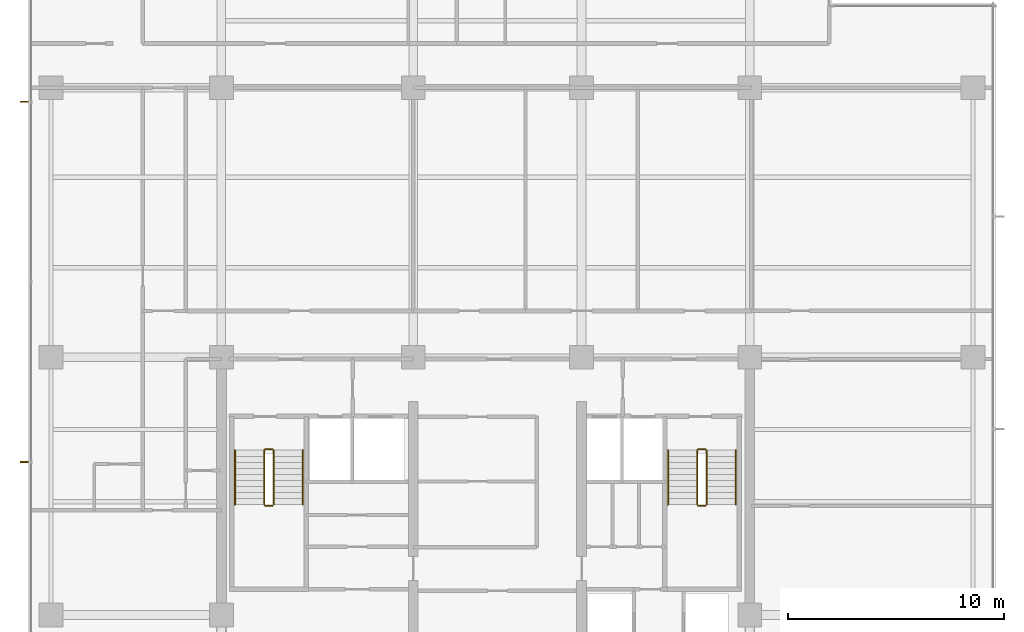
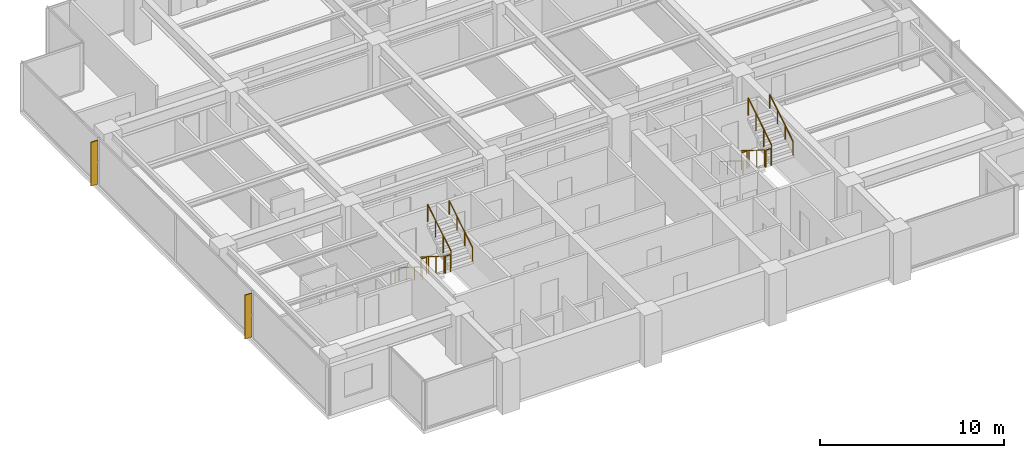
# One storey, part 13 of 14: 12 railings, 2 shading devices.
"""IFC4 building model written with IfcOpenShell, lengths in metres."""

from ifc_helpers import new_model, si_unit, direction, frame, origin, origin_2d, place, context, subcontext, project, spatial, polyline, circle, outline, extrude, material, layer, layer_set, type_object, element, save


model = new_model("IFC4")

# Units and contexts
model_context = context("Model", 3, precision=1e-05, world=origin(), true_north=direction((0.0, 1.0)))
body_context = subcontext(model_context, "Body", "Model", "MODEL_VIEW")
ifc_project = project(units=[si_unit("LENGTHUNIT", "METRE"), si_unit("AREAUNIT", "SQUARE_METRE"), si_unit("VOLUMEUNIT", "CUBIC_METRE"), si_unit("PLANEANGLEUNIT", "RADIAN"), si_unit("MASSUNIT", "GRAM", prefix="KILO")], contexts=[model_context])

# Site, building, storey
site_placement = place(None, origin())
site = spatial("IfcSite", under=ifc_project, at=site_placement, CompositionType="ELEMENT")
building_placement = place(site_placement, origin())
building = spatial("IfcBuilding", under=site, at=building_placement, Name="Qalmaran Belvedere Hotel", CompositionType="ELEMENT")
storey_placement = place(building_placement, frame((0.0, 0.0, 180.60009765625)))
storey = spatial("IfcBuildingStorey", under=building, at=storey_placement, Name="L46", CompositionType="ELEMENT", Elevation=180.60009765625)

# Shading devices
ifc_material_1 = material(Name="Anodised Bronze Aluminium", Category="aluminium")
ifc_layer = layer(ifc_material_1, 0.06494140625, Name="Anodised Bronze Aluminium")
ifc_layer_set = layer_set([ifc_layer], Name="Anodised Bronze Aluminium")
shading_device_type = type_object("IfcShadingDeviceType", Name="FIN-BRNZ-420", PredefinedType="USERDEFINED", material=ifc_layer_set)
shading_device_1_placement = place(storey_placement, frame((0.0, 0.0, 0.159912109375)))
element("IfcShadingDevice", 1, at=shading_device_1_placement, inside=storey, type_object=shading_device_type, Name="L46 Bronze Fin 1", ObjectType="FIN", PredefinedType="USERDEFINED", context=body_context, shape_type="SweptSolid", body=[
    extrude(outline(polyline([(11.3798828125, 32.382568359375), (10.9599609375, 32.382568359375), (10.9599609375, 32.3173828125), (11.3798828125, 32.3173828125), (11.3798828125, 32.382568359375)])), origin(), (0.0, 0.0, 1.0), 2.89990234375),
])
shading_device_2_placement = place(storey_placement, frame((0.0, 0.0, 0.159912109375)))
element("IfcShadingDevice", 2, at=shading_device_2_placement, inside=storey, type_object=shading_device_type, Name="L46 Bronze Fin 3", ObjectType="FIN", PredefinedType="USERDEFINED", context=body_context, shape_type="SweptSolid", body=[
    extrude(outline(polyline([(11.3798828125, 15.6826171875), (10.9599609375, 15.6826171875), (10.9599609375, 15.617431640625), (11.3798828125, 15.617431640625), (11.3798828125, 15.6826171875)])), origin(), (0.0, 0.0, 1.0), 2.89990234375),
])

# Railings
ifc_material_2 = material(Name="Stainless Steel 1.4401", Category="steel")
railing_type_1 = type_object("IfcRailingType", Name="RLG-STAIR-GUARD-1150", PredefinedType="GUARDRAIL", material=ifc_material_2)
railing_1_placement = place(storey_placement, frame((22.280029296875, 16.18994140625, 0.1748046875)))
element("IfcRailing", 3, at=railing_1_placement, inside=storey, type_object=railing_type_1, Name="L46 ST-1 stair guard 1", PredefinedType="GUARDRAIL", context=body_context, shape_type="SweptSolid", body=[
    extrude(circle(Radius=0.02392578125, at=origin_2d()), frame((0.0, 0.0, 1.1259765625), z_axis=(0.0, -0.847970611238, 0.530043245855), x_axis=(1.0, 0.0, 0.0)), (0.0, 0.0, 1.0), 2.971923828125),
    extrude(circle(Radius=0.02099609375, at=origin_2d()), origin(), (0.0, 0.0, 1.0), 1.101806640625),
    extrude(circle(Radius=0.02099609375, at=origin_2d()), frame((0.0, -0.840087890625, 0.525146484375)), (0.0, 0.0, 1.0), 1.101806640625),
    extrude(circle(Radius=0.02099609375, at=origin_2d()), frame((0.0, -1.679931640625, 1.050048828125)), (0.0, 0.0, 1.0), 1.101806640625),
    extrude(circle(Radius=0.02099609375, at=origin_2d()), frame((0.0, -2.52001953125, 1.5751953125)), (0.0, 0.0, 1.0), 1.101806640625),
])
railing_2_placement = place(storey_placement, frame((22.330078125, 13.6201171875, 1.75)))
element("IfcRailing", 4, at=railing_2_placement, inside=storey, type_object=railing_type_1, Name="L46 ST-1 stair guard 2", PredefinedType="GUARDRAIL", context=body_context, shape_type="SweptSolid", body=[
    extrude(circle(Radius=0.02392578125, at=origin_2d()), frame((0.0, 0.0, 1.1259765625), z_axis=(1.0, 0.0, 0.0), x_axis=(0.0, 1.0, 0.0)), (0.0, 0.0, 1.0), 0.33984375),
    extrude(circle(Radius=0.02099609375, at=origin_2d()), origin(), (0.0, 0.0, 1.0), 1.101806640625),
    extrude(circle(Radius=0.02099609375, at=origin_2d()), frame((0.33984375, 0.0, 0.0)), (0.0, 0.0, 1.0), 1.101806640625),
])
railing_3_placement = place(storey_placement, frame((22.719970703125, 13.669921875, 1.9248046875)))
element("IfcRailing", 5, at=railing_3_placement, inside=storey, type_object=railing_type_1, Name="L46 ST-1 stair guard 3", PredefinedType="GUARDRAIL", context=body_context, shape_type="SweptSolid", body=[
    extrude(circle(Radius=0.02392578125, at=origin_2d()), frame((0.0, 0.0, 1.1259765625), z_axis=(0.0, 0.847970611238, 0.530043245855), x_axis=(-1.0, 0.0, 0.0)), (0.0, 0.0, 1.0), 2.971923828125),
    extrude(circle(Radius=0.02099609375, at=origin_2d()), origin(), (0.0, 0.0, 1.0), 1.101806640625),
    extrude(circle(Radius=0.02099609375, at=origin_2d()), frame((0.0, 0.840087890625, 0.525146484375)), (0.0, 0.0, 1.0), 1.101806640625),
    extrude(circle(Radius=0.02099609375, at=origin_2d()), frame((0.0, 1.679931640625, 1.050048828125)), (0.0, 0.0, 1.0), 1.101806640625),
    extrude(circle(Radius=0.02099609375, at=origin_2d()), frame((0.0, 2.52001953125, 1.5751953125)), (0.0, 0.0, 1.0), 1.101806640625),
])
railing_4_placement = place(storey_placement, frame((22.330078125, 16.239990234375, 0.0)))
element("IfcRailing", 6, at=railing_4_placement, inside=storey, type_object=railing_type_1, Name="L46 ST-1 stair guard 4", PredefinedType="GUARDRAIL", context=body_context, shape_type="SweptSolid", body=[
    extrude(circle(Radius=0.02392578125, at=origin_2d()), frame((0.0, 0.0, 1.1259765625), z_axis=(1.0, 0.0, 0.0), x_axis=(0.0, 1.0, 0.0)), (0.0, 0.0, 1.0), 0.33984375),
    extrude(circle(Radius=0.02099609375, at=origin_2d()), origin(), (0.0, 0.0, 1.0), 1.101806640625),
    extrude(circle(Radius=0.02099609375, at=origin_2d()), frame((0.33984375, 0.0, 0.0)), (0.0, 0.0, 1.0), 1.101806640625),
])
railing_5_placement = place(storey_placement, frame((42.360107421875, 16.18994140625, 0.1748046875)))
element("IfcRailing", 7, at=railing_5_placement, inside=storey, type_object=railing_type_1, Name="L46 ST-2 stair guard 1", PredefinedType="GUARDRAIL", context=body_context, shape_type="SweptSolid", body=[
    extrude(circle(Radius=0.02392578125, at=origin_2d()), frame((0.0, 0.0, 1.1259765625), z_axis=(0.0, -0.847970611238, 0.530043245855), x_axis=(1.0, 0.0, 0.0)), (0.0, 0.0, 1.0), 2.971923828125),
    extrude(circle(Radius=0.02099609375, at=origin_2d()), origin(), (0.0, 0.0, 1.0), 1.101806640625),
    extrude(circle(Radius=0.02099609375, at=origin_2d()), frame((0.0, -0.840087890625, 0.525146484375)), (0.0, 0.0, 1.0), 1.101806640625),
    extrude(circle(Radius=0.02099609375, at=origin_2d()), frame((0.0, -1.679931640625, 1.050048828125)), (0.0, 0.0, 1.0), 1.101806640625),
    extrude(circle(Radius=0.02099609375, at=origin_2d()), frame((0.0, -2.52001953125, 1.5751953125)), (0.0, 0.0, 1.0), 1.101806640625),
])
railing_6_placement = place(storey_placement, frame((42.409912109375, 13.6201171875, 1.75)))
element("IfcRailing", 8, at=railing_6_placement, inside=storey, type_object=railing_type_1, Name="L46 ST-2 stair guard 2", PredefinedType="GUARDRAIL", context=body_context, shape_type="SweptSolid", body=[
    extrude(circle(Radius=0.02392578125, at=origin_2d()), frame((0.0, 0.0, 1.1259765625), z_axis=(1.0, 0.0, 0.0), x_axis=(0.0, 1.0, 0.0)), (0.0, 0.0, 1.0), 0.340087890625),
    extrude(circle(Radius=0.02099609375, at=origin_2d()), origin(), (0.0, 0.0, 1.0), 1.101806640625),
    extrude(circle(Radius=0.02099609375, at=origin_2d()), frame((0.340087890625, 0.0, 0.0)), (0.0, 0.0, 1.0), 1.101806640625),
])
railing_7_placement = place(storey_placement, frame((42.800048828125, 13.669921875, 1.9248046875)))
element("IfcRailing", 9, at=railing_7_placement, inside=storey, type_object=railing_type_1, Name="L46 ST-2 stair guard 3", PredefinedType="GUARDRAIL", context=body_context, shape_type="SweptSolid", body=[
    extrude(circle(Radius=0.02392578125, at=origin_2d()), frame((0.0, 0.0, 1.1259765625), z_axis=(0.0, 0.847970611238, 0.530043245855), x_axis=(-1.0, 0.0, 0.0)), (0.0, 0.0, 1.0), 2.971923828125),
    extrude(circle(Radius=0.02099609375, at=origin_2d()), origin(), (0.0, 0.0, 1.0), 1.101806640625),
    extrude(circle(Radius=0.02099609375, at=origin_2d()), frame((0.0, 0.840087890625, 0.525146484375)), (0.0, 0.0, 1.0), 1.101806640625),
    extrude(circle(Radius=0.02099609375, at=origin_2d()), frame((0.0, 1.679931640625, 1.050048828125)), (0.0, 0.0, 1.0), 1.101806640625),
    extrude(circle(Radius=0.02099609375, at=origin_2d()), frame((0.0, 2.52001953125, 1.5751953125)), (0.0, 0.0, 1.0), 1.101806640625),
])
railing_8_placement = place(storey_placement, frame((42.409912109375, 16.239990234375, 0.0)))
element("IfcRailing", 10, at=railing_8_placement, inside=storey, type_object=railing_type_1, Name="L46 ST-2 stair guard 4", PredefinedType="GUARDRAIL", context=body_context, shape_type="SweptSolid", body=[
    extrude(circle(Radius=0.02392578125, at=origin_2d()), frame((0.0, 0.0, 1.1259765625), z_axis=(1.0, 0.0, 0.0), x_axis=(0.0, 1.0, 0.0)), (0.0, 0.0, 1.0), 0.340087890625),
    extrude(circle(Radius=0.02099609375, at=origin_2d()), origin(), (0.0, 0.0, 1.0), 1.101806640625),
    extrude(circle(Radius=0.02099609375, at=origin_2d()), frame((0.340087890625, 0.0, 0.0)), (0.0, 0.0, 1.0), 1.101806640625),
])
railing_type_2 = type_object("IfcRailingType", Name="RLG-STAIR-HAND-910", PredefinedType="HANDRAIL", material=ifc_material_2)
railing_9_placement = place(storey_placement, frame((20.929931640625, 16.18994140625, 0.1748046875)))
element("IfcRailing", 11, at=railing_9_placement, inside=storey, type_object=railing_type_2, Name="L46 ST-1 stair handrail 1", PredefinedType="HANDRAIL", context=body_context, shape_type="SweptSolid", body=[
    extrude(circle(Radius=0.02392578125, at=origin_2d()), frame((0.0, 0.0, 0.8857421875), z_axis=(0.0, -0.847970611238, 0.530043245855), x_axis=(1.0, 0.0, 0.0)), (0.0, 0.0, 1.0), 2.971923828125),
    extrude(circle(Radius=0.02099609375, at=origin_2d()), origin(), (0.0, 0.0, 1.0), 0.86181640625),
    extrude(circle(Radius=0.02099609375, at=origin_2d()), frame((0.0, -0.840087890625, 0.525146484375)), (0.0, 0.0, 1.0), 0.86181640625),
    extrude(circle(Radius=0.02099609375, at=origin_2d()), frame((0.0, -1.679931640625, 1.050048828125)), (0.0, 0.0, 1.0), 0.86181640625),
    extrude(circle(Radius=0.02099609375, at=origin_2d()), frame((0.0, -2.52001953125, 1.5751953125)), (0.0, 0.0, 1.0), 0.86181640625),
])
railing_10_placement = place(storey_placement, frame((24.070068359375, 13.669921875, 1.9248046875)))
element("IfcRailing", 12, at=railing_10_placement, inside=storey, type_object=railing_type_2, Name="L46 ST-1 stair handrail 2", PredefinedType="HANDRAIL", context=body_context, shape_type="SweptSolid", body=[
    extrude(circle(Radius=0.02392578125, at=origin_2d()), frame((0.0, 0.0, 0.8857421875), z_axis=(0.0, 0.847970611238, 0.530043245855), x_axis=(-1.0, 0.0, 0.0)), (0.0, 0.0, 1.0), 2.971923828125),
    extrude(circle(Radius=0.02099609375, at=origin_2d()), origin(), (0.0, 0.0, 1.0), 0.86181640625),
    extrude(circle(Radius=0.02099609375, at=origin_2d()), frame((0.0, 0.840087890625, 0.525146484375)), (0.0, 0.0, 1.0), 0.86181640625),
    extrude(circle(Radius=0.02099609375, at=origin_2d()), frame((0.0, 1.679931640625, 1.050048828125)), (0.0, 0.0, 1.0), 0.86181640625),
    extrude(circle(Radius=0.02099609375, at=origin_2d()), frame((0.0, 2.52001953125, 1.5751953125)), (0.0, 0.0, 1.0), 0.86181640625),
])
railing_11_placement = place(storey_placement, frame((41.010009765625, 16.18994140625, 0.1748046875)))
element("IfcRailing", 13, at=railing_11_placement, inside=storey, type_object=railing_type_2, Name="L46 ST-2 stair handrail 1", PredefinedType="HANDRAIL", context=body_context, shape_type="SweptSolid", body=[
    extrude(circle(Radius=0.02392578125, at=origin_2d()), frame((0.0, 0.0, 0.8857421875), z_axis=(0.0, -0.847970611238, 0.530043245855), x_axis=(1.0, 0.0, 0.0)), (0.0, 0.0, 1.0), 2.971923828125),
    extrude(circle(Radius=0.02099609375, at=origin_2d()), origin(), (0.0, 0.0, 1.0), 0.86181640625),
    extrude(circle(Radius=0.02099609375, at=origin_2d()), frame((0.0, -0.840087890625, 0.525146484375)), (0.0, 0.0, 1.0), 0.86181640625),
    extrude(circle(Radius=0.02099609375, at=origin_2d()), frame((0.0, -1.679931640625, 1.050048828125)), (0.0, 0.0, 1.0), 0.86181640625),
    extrude(circle(Radius=0.02099609375, at=origin_2d()), frame((0.0, -2.52001953125, 1.5751953125)), (0.0, 0.0, 1.0), 0.86181640625),
])
railing_12_placement = place(storey_placement, frame((44.14990234375, 13.669921875, 1.9248046875)))
element("IfcRailing", 14, at=railing_12_placement, inside=storey, type_object=railing_type_2, Name="L46 ST-2 stair handrail 2", PredefinedType="HANDRAIL", context=body_context, shape_type="SweptSolid", body=[
    extrude(circle(Radius=0.02392578125, at=origin_2d()), frame((0.0, 0.0, 0.8857421875), z_axis=(0.0, 0.847970611238, 0.530043245855), x_axis=(-1.0, 0.0, 0.0)), (0.0, 0.0, 1.0), 2.971923828125),
    extrude(circle(Radius=0.02099609375, at=origin_2d()), origin(), (0.0, 0.0, 1.0), 0.86181640625),
    extrude(circle(Radius=0.02099609375, at=origin_2d()), frame((0.0, 0.840087890625, 0.525146484375)), (0.0, 0.0, 1.0), 0.86181640625),
    extrude(circle(Radius=0.02099609375, at=origin_2d()), frame((0.0, 1.679931640625, 1.050048828125)), (0.0, 0.0, 1.0), 0.86181640625),
    extrude(circle(Radius=0.02099609375, at=origin_2d()), frame((0.0, 2.52001953125, 1.5751953125)), (0.0, 0.0, 1.0), 0.86181640625),
])

save(model, "model.ifc")
